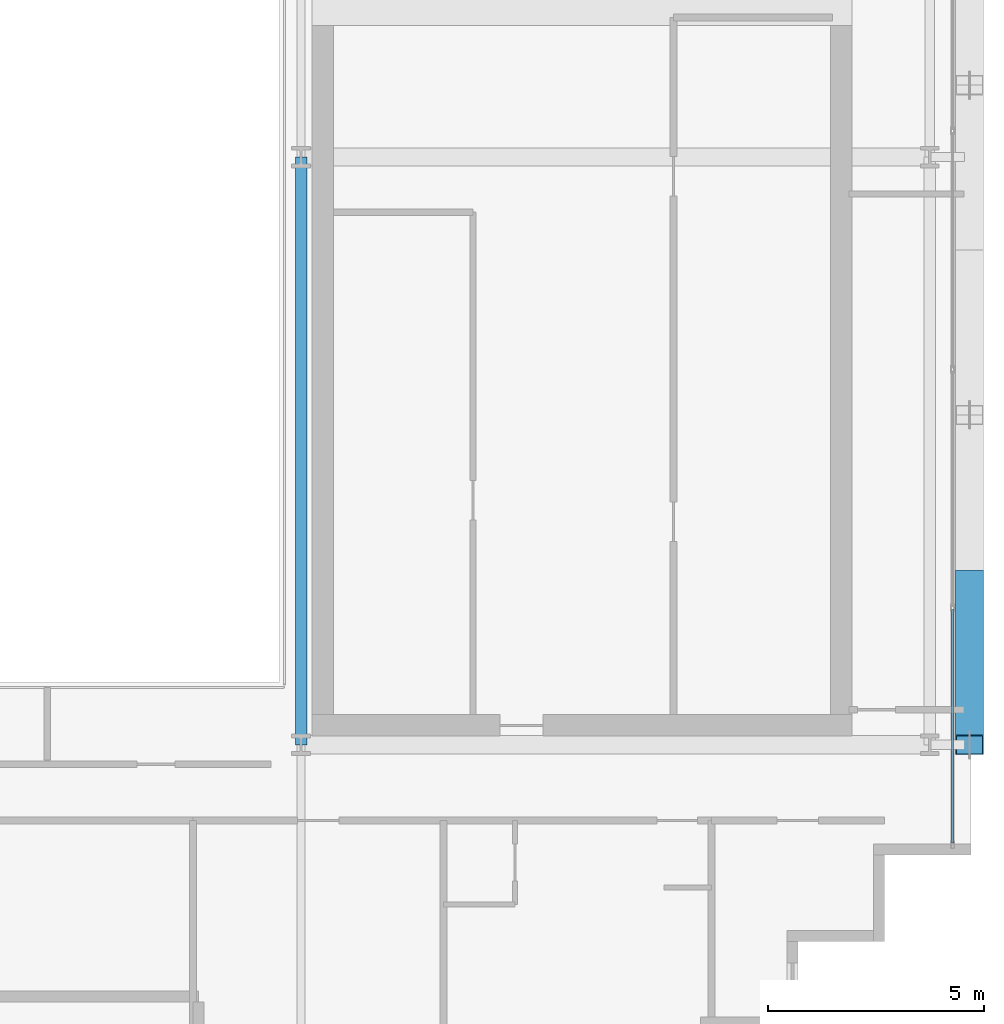
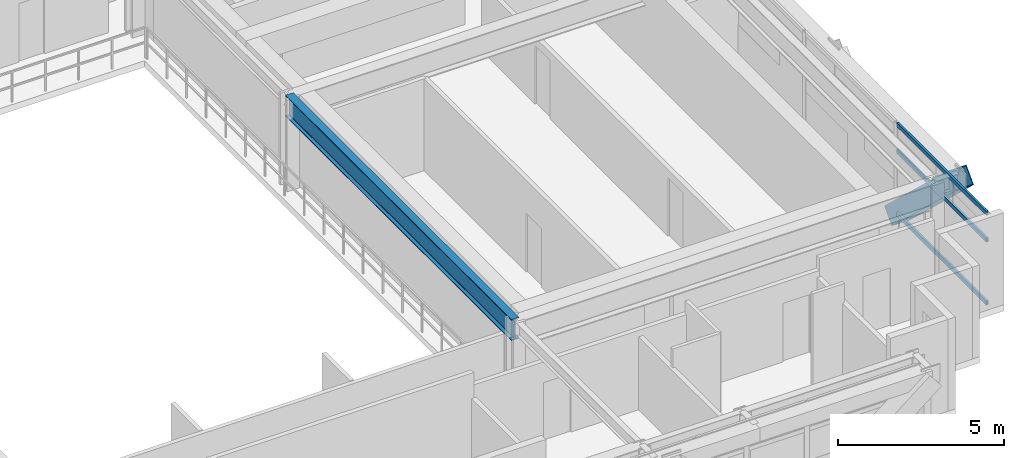
# One storey, part 11 of 32: 4 members, 1 beam, 1 element without a shape of its own.
"""IFC4 building model written with IfcOpenShell, lengths in metres."""

import ifcopenshell
import ifcopenshell.guid

model = None  # the IFC model being written
_history = None  # IfcOwnerHistory: only IFC2X3 demands one
_inside = {}  # id of a spatial element -> (the spatial element, [elements in it])
_under = {}  # id of a project, library or spatial element -> (it, [spatial elements below it])
_declared = {}  # id of a project -> (the project, [libraries it declares])
_typed = {}  # id of a type object -> (the type object, [elements of that type])
_made_of = {}  # id of a material, layer set ... -> (it, [elements and type objects made of it])


def new_model(schema):
    """Start an empty IFC model of exactly this schema.

    Asked for "IFC4X3", IfcOpenShell would pick the latest addendum, in which some entities
    have other attributes; the version numbers below select the first issue.
    IFC2X3 requires an IfcOwnerHistory on every rooted entity: one is made here for all.
    """
    global model, _history
    if schema == "IFC4X3":
        model = ifcopenshell.file(schema_version=(4, 3, 0, 0))
    else:
        model = ifcopenshell.file(schema=schema)
    _inside.clear()
    _under.clear()
    _declared.clear()
    _typed.clear()
    _made_of.clear()
    _history = None
    if model.schema == "IFC2X3":
        org = make("IfcOrganization", Name="unknown")
        user = make(
            "IfcPersonAndOrganization",
            ThePerson=make("IfcPerson", FamilyName="unknown"),
            TheOrganization=org,
        )
        app = make(
            "IfcApplication",
            ApplicationDeveloper=org,
            Version="unknown",
            ApplicationFullName="unknown",
            ApplicationIdentifier="unknown",
        )
        _history = make(
            "IfcOwnerHistory",
            OwningUser=user,
            OwningApplication=app,
            ChangeAction="ADDED",
            CreationDate=0,
        )
    return model


def make(cls, **values):
    """One entity of the class cls with the attributes given. An attribute that is None is left unset."""
    return model.create_entity(
        cls, **{name: value for name, value in values.items() if value is not None}
    )


def rooted(cls, **values):
    """An entity with a GlobalId (a new one), such as an element, a storey or a relation."""
    return make(cls, GlobalId=ifcopenshell.guid.new(), OwnerHistory=_history, **values)


def si_unit(unit_type, name, prefix=None):
    """IfcSIUnit, for example si_unit("LENGTHUNIT", "METRE", prefix="MILLI")."""
    return make("IfcSIUnit", UnitType=unit_type, Prefix=prefix, Name=name)


def assignment(units):
    """IfcUnitAssignment: the units of a project."""
    return None if units is None else make("IfcUnitAssignment", Units=units)


def point(xyz):
    """IfcCartesianPoint."""
    return None if xyz is None else make("IfcCartesianPoint", Coordinates=xyz)


def direction(xyz):
    """IfcDirection."""
    return None if xyz is None else make("IfcDirection", DirectionRatios=xyz)


def frame(location, z_axis=None, x_axis=None):
    """IfcAxis2Placement3D, a coordinate frame: its origin and axes. An axis left out is left unset."""
    return make(
        "IfcAxis2Placement3D",
        Location=point(location),
        Axis=direction(z_axis),
        RefDirection=direction(x_axis),
    )


def frame_2d(location, x_axis=None):
    """IfcAxis2Placement2D, a coordinate frame in the plane: its origin and x axis."""
    return make(
        "IfcAxis2Placement2D", Location=point(location), RefDirection=direction(x_axis)
    )


def origin():
    """The frame at (0, 0, 0) with its axes left unset."""
    return frame((0.0, 0.0, 0.0))


def origin_2d():
    """The frame at (0, 0) in the plane with its x axis left unset."""
    return frame_2d((0.0, 0.0))


def place(relative_to, where):
    """IfcLocalPlacement: puts the frame where relative to a parent placement (None: the world)."""
    return make(
        "IfcLocalPlacement", PlacementRelTo=relative_to, RelativePlacement=where
    )


def context(
    kind, dimensions, precision=None, world=None, true_north=None, identifier=None
):
    """IfcGeometricRepresentationContext, for example the 3D "Model" context."""
    return make(
        "IfcGeometricRepresentationContext",
        ContextIdentifier=identifier,
        ContextType=kind,
        CoordinateSpaceDimension=dimensions,
        Precision=precision,
        WorldCoordinateSystem=world,
        TrueNorth=true_north,
    )


def subcontext(parent, identifier, kind, view, scale=None):
    """IfcGeometricRepresentationSubContext, for example "Body" below "Model"."""
    return make(
        "IfcGeometricRepresentationSubContext",
        ContextIdentifier=identifier,
        ContextType=kind,
        ParentContext=parent,
        TargetScale=scale,
        TargetView=view,
    )


def project(units=None, contexts=None):
    """IfcProject with its units and contexts."""
    return rooted(
        "IfcProject",
        Name="project",
        RepresentationContexts=contexts,
        UnitsInContext=assignment(units),
    )


def spatial(cls, under=None, at=None, **own):
    """A site, building, storey or space (cls), placed at a placement, below another one or the project."""
    s = rooted(cls, ObjectPlacement=at, **own)
    if under is not None:
        _under.setdefault(under.id(), (under, []))[1].append(s)
    return s


def profile(cls, at=None, kind="AREA", **sizes):
    """A parametric profile (cls). Its sizes go by their IFC names, for example OverallWidth=200.0."""
    return make(cls, ProfileType=kind, Position=at, **sizes)


def hollow_rectangle(**sizes):
    """IfcRectangleHollowProfileDef."""
    return profile("IfcRectangleHollowProfileDef", **sizes)


def i_section(**sizes):
    """IfcIShapeProfileDef."""
    return profile("IfcIShapeProfileDef", **sizes)


def extrude(swept, where, along, depth):
    """IfcExtrudedAreaSolid: the profile swept, set in the frame where, extruded along a direction by depth."""
    return make(
        "IfcExtrudedAreaSolid",
        SweptArea=swept,
        Position=where,
        ExtrudedDirection=direction(along),
        Depth=depth,
    )


def shape(context_of_items, identifier, shape_type, items):
    """IfcShapeRepresentation: the items that make up one representation, for example the "Body"."""
    return make(
        "IfcShapeRepresentation",
        ContextOfItems=context_of_items,
        RepresentationIdentifier=identifier,
        RepresentationType=shape_type,
        Items=items,
    )


def source(mapping_origin, context_of_items, identifier, shape_type, items):
    """IfcRepresentationMap: a shape defined once, which mapped items show again and again."""
    return make(
        "IfcRepresentationMap",
        MappingOrigin=mapping_origin,
        MappedRepresentation=shape(context_of_items, identifier, shape_type, items),
    )


def transform(
    local_origin,
    x_axis=None,
    y_axis=None,
    z_axis=None,
    scale=None,
    scale2=None,
    scale3=None,
    uniform=True,
):
    """IfcCartesianTransformationOperator3D, or its non-uniform kind. x_axis, y_axis, z_axis: its Axis1, 2, 3."""
    if uniform:
        return make(
            "IfcCartesianTransformationOperator3D",
            Axis1=direction(x_axis),
            Axis2=direction(y_axis),
            LocalOrigin=point(local_origin),
            Scale=scale,
            Axis3=direction(z_axis),
        )
    return make(
        "IfcCartesianTransformationOperator3DnonUniform",
        Axis1=direction(x_axis),
        Axis2=direction(y_axis),
        LocalOrigin=point(local_origin),
        Scale=scale,
        Axis3=direction(z_axis),
        Scale2=scale2,
        Scale3=scale3,
    )


def mapped(mapping_source, mapping_target):
    """IfcMappedItem: shows the shape of a source again, moved by a transform."""
    return make(
        "IfcMappedItem", MappingSource=mapping_source, MappingTarget=mapping_target
    )


def material(Name=None, Category=None):
    """IfcMaterial."""
    return make("IfcMaterial", Name=Name, Category=Category)


def layer(
    of_material, thickness, ventilated=None, Name=None, Category=None, Priority=None
):
    """IfcMaterialLayer: one layer of a wall or slab, of a material (None: an air gap)."""
    return make(
        "IfcMaterialLayer",
        Material=of_material,
        LayerThickness=thickness,
        IsVentilated=ventilated,
        Name=Name,
        Category=Category,
        Priority=Priority,
    )


def layer_set(layers, Name=None):
    """IfcMaterialLayerSet."""
    return make("IfcMaterialLayerSet", MaterialLayers=layers, LayerSetName=Name)


def material_profile(
    of_material, cross_section, Name=None, Category=None, Priority=None
):
    """IfcMaterialProfile: a cross section and its material."""
    return make(
        "IfcMaterialProfile",
        Name=Name,
        Material=of_material,
        Profile=cross_section,
        Priority=Priority,
        Category=Category,
    )


def profile_set(profiles, Name=None, composite=None):
    """IfcMaterialProfileSet."""
    return make(
        "IfcMaterialProfileSet",
        Name=Name,
        MaterialProfiles=profiles,
        CompositeProfile=composite,
    )


def made_of(thing, what):
    """Note that an element or type object is made of a material, layer set ...; save() writes the relation."""
    if what is not None:
        _made_of.setdefault(what.id(), (what, []))[1].append(thing)
    return thing


def type_object(cls, material=None, **own):
    """A type object (cls), such as IfcWallType, which elements share."""
    return made_of(rooted(cls, **own), material)


def element(
    cls,
    number,
    at=None,
    inside=None,
    cuts=None,
    type_object=None,
    material=None,
    context=None,
    identifier="Body",
    shape_type=None,
    held_by="IfcProductDefinitionShape",
    body=None,
    shapes=None,
    **own,
):
    """One element of the class cls, such as IfcWall. Its Tag is "e" and its number.

    at: its placement. inside: the storey or other place that contains it. cuts: it is an
    opening in that element (IfcRelVoidsElement). A single representation is given by context,
    identifier, shape_type and body (its items); several are given by shapes. held_by: the class
    of the entity that holds the representations. save() writes the other relations.
    """
    e = rooted(cls, Tag="e%d" % number, ObjectPlacement=at, **own)
    if body is not None:
        shapes = [shape(context, identifier, shape_type, body)]
    if shapes is not None:
        e.Representation = make(held_by, Representations=shapes)
    if inside is not None:
        _inside.setdefault(inside.id(), (inside, []))[1].append(e)
    if cuts is not None:
        rooted(
            "IfcRelVoidsElement", RelatingBuildingElement=cuts, RelatedOpeningElement=e
        )
    if type_object is not None:
        _typed.setdefault(type_object.id(), (type_object, []))[1].append(e)
    return made_of(e, material)


def aggregate(whole, parts):
    """IfcRelAggregates: a whole, such as a stair, and the parts it consists of."""
    return rooted("IfcRelAggregates", RelatingObject=whole, RelatedObjects=parts)


def save(model, path):
    """Write the relations noted so far, then the file.

    IfcRelAggregates (storeys below a building ...), IfcRelContainedInSpatialStructure (elements
    in a storey), IfcRelDefinesByType, IfcRelAssociatesMaterial and IfcRelDeclares: one each for
    every whole, place, type object, material and project.
    """
    for whole, parts in _under.values():
        aggregate(whole, parts)
    for where, things in _inside.values():
        rooted(
            "IfcRelContainedInSpatialStructure",
            RelatedElements=things,
            RelatingStructure=where,
        )
    for kind, things in _typed.values():
        rooted("IfcRelDefinesByType", RelatedObjects=things, RelatingType=kind)
    for what, things in _made_of.values():
        rooted("IfcRelAssociatesMaterial", RelatedObjects=things, RelatingMaterial=what)
    for by, libraries in _declared.values():
        rooted("IfcRelDeclares", RelatingContext=by, RelatedDefinitions=libraries)
    model.write(path)


model = new_model("IFC4")

# Units and contexts
model_context = context("Model", 3, precision=1e-05, world=origin(), true_north=direction((0.0, 1.0)))
body_context = subcontext(model_context, "Body", "Model", "MODEL_VIEW")
ifc_project = project(units=[si_unit("LENGTHUNIT", "METRE"), si_unit("AREAUNIT", "SQUARE_METRE"), si_unit("VOLUMEUNIT", "CUBIC_METRE"), si_unit("PLANEANGLEUNIT", "RADIAN"), si_unit("MASSUNIT", "GRAM", prefix="KILO")], contexts=[model_context])

# Site, building, storey
site_placement = place(None, origin())
site = spatial("IfcSite", under=ifc_project, at=site_placement, CompositionType="ELEMENT")
building_placement = place(site_placement, origin())
building = spatial("IfcBuilding", under=site, at=building_placement, Name="Ocotamira Hotel", CompositionType="ELEMENT")
storey_placement = place(building_placement, frame((0.0, 0.0, 184.800048828125)))
storey = spatial("IfcBuildingStorey", under=building, at=storey_placement, Name="L46", CompositionType="ELEMENT", Elevation=184.800048828125)

# Beam
ifc_material_1 = material(Name="Steel ASTM A992 Grade 50", Category="steel")
ifc_material_profile_1 = material_profile(ifc_material_1, i_section(OverallWidth=0.26611328125, OverallDepth=0.779052734375, WebThickness=0.0166015625, FlangeThickness=0.030029296875, FilletRadius=0.01806640625, at=origin_2d()), Name="W30X148")
ifc_profile_set_1 = profile_set([ifc_material_profile_1], Name="Steel ASTM A992 Grade 50")
beam_type = type_object("IfcBeamType", Name="BM-GIRD-W30X148", PredefinedType="BEAM", material=ifc_profile_set_1)
shared_shape_1 = source(origin(), body_context, "Body", "SweptSolid", [
    extrude(i_section(OverallWidth=0.26611328125, OverallDepth=0.779052734375, WebThickness=0.0166015625, FlangeThickness=0.030029296875, FilletRadius=0.01806640625, at=origin_2d()), origin(), (0.0, 0.0, 1.0), 13.599853515625),
])
beam_placement = place(storey_placement, frame((40.5, 14.550048828125, 2.98046875), z_axis=(0.0, 1.0, 0.0), x_axis=(-1.0, 0.0, 0.0)))
element("IfcBeam", 1, at=beam_placement, inside=storey, type_object=beam_type, Name="L46 Beam X40.5 Y14.55-28.15", PredefinedType="BEAM", context=body_context, shape_type="MappedRepresentation", body=[
    mapped(shared_shape_1, transform((0.0, 0.0, 0.0), scale=1.0)),
])

# Member
ifc_material_2 = material(Name="Pale-metal coated steel ASTM A913 Grade 65", Category="steel")
ifc_material_profile_2 = material_profile(ifc_material_2, hollow_rectangle(XDim=0.64990234375, YDim=0.64990234375, WallThickness=0.02197265625, at=origin_2d()), Name="BOX650X650X22")
ifc_profile_set_2 = profile_set([ifc_material_profile_2], Name="Pale-metal coated steel ASTM A913 Grade 65")
member_type_1 = type_object("IfcMemberType", Name="MEM-EXO-BOX650", PredefinedType="BRACE", material=ifc_profile_set_2)
shared_shape_2 = source(origin(), body_context, "Body", "SweptSolid", [
    extrude(hollow_rectangle(XDim=0.64990234375, YDim=0.64990234375, WallThickness=0.02197265625, at=origin_2d()), origin(), (0.0, 0.0, 1.0), 5.24658203125),
])
member_1_placement = place(storey_placement, frame((55.969970703125, 18.36669921875, -0.47998046875), z_axis=(0.0, -0.72746596067, 0.686143772154), x_axis=(1.0, 0.0, 0.0)))
element("IfcMember", 2, at=member_1_placement, inside=storey, type_object=member_type_1, Name="L46 Exoskeleton Diagrid E0.1", PredefinedType="BRACE", context=body_context, shape_type="MappedRepresentation", body=[
    mapped(shared_shape_2, transform((0.0, 0.0, 0.0), scale=1.0)),
])

# Curtain wall, members
ifc_material_3 = material(Name="Anodised pale-metal aluminium and solar glass", Category="aluminium")
ifc_layer = layer(ifc_material_3, 0.199951171875)
ifc_layer_set = layer_set([ifc_layer], Name="Anodised pale-metal aluminium and solar glass")
curtain_wall_type = type_object("IfcCurtainWallType", Name="CW-SYS4-Z3", PredefinedType="NOTDEFINED", material=ifc_layer_set)
curtain_wall_placement = place(storey_placement, origin())
curtain_wall = element("IfcCurtainWall", 3, at=curtain_wall_placement, inside=storey, type_object=curtain_wall_type, Name="L46 Curtain Wall CW-4 CW-L46-E", PredefinedType="NOTDEFINED")
ifc_material_4 = material(Name="Anodised pale-metal aluminium 6063-T6", Category="aluminium")
ifc_material_profile_3 = material_profile(ifc_material_4, hollow_rectangle(XDim=0.074951171875, YDim=0.14990234375, WallThickness=0.006103515625, at=origin_2d()), Name="HSS150X75X6")
ifc_profile_set_3 = profile_set([ifc_material_profile_3], Name="Anodised pale-metal aluminium 6063-T6")
member_type_2 = type_object("IfcMemberType", Name="CWT-150X75", PredefinedType="USERDEFINED", material=ifc_profile_set_3)
shared_shape_3 = source(origin(), body_context, "Body", "SweptSolid", [
    extrude(hollow_rectangle(XDim=0.074951171875, YDim=0.14990234375, WallThickness=0.006103515625, at=origin_2d()), origin(), (0.0, 0.0, 1.0), 5.39990234375),
])
member_2_placement = place(storey_placement, frame((55.580078125, 12.280029296875, 0.037353515625), z_axis=(0.0, 1.0, 0.0), x_axis=(-1.0, 0.0, 0.0)))
member_2 = element("IfcMember", 4, at=member_2_placement, type_object=member_type_2, Name="CW-4 transom 1.1", ObjectType="TRANSOM", PredefinedType="USERDEFINED", context=body_context, shape_type="MappedRepresentation", body=[
    mapped(shared_shape_3, transform((0.0, 0.0, 0.0), scale=1.0)),
])
member_3_placement = place(storey_placement, frame((55.580078125, 12.280029296875, 2.349853515625), z_axis=(0.0, 1.0, 0.0), x_axis=(-1.0, 0.0, 0.0)))
member_3 = element("IfcMember", 5, at=member_3_placement, type_object=member_type_2, Name="CW-4 transom 1.2", ObjectType="TRANSOM", PredefinedType="USERDEFINED", context=body_context, shape_type="MappedRepresentation", body=[
    mapped(shared_shape_3, transform((0.0, 0.0, 0.0), scale=1.0)),
])
member_4_placement = place(storey_placement, frame((55.580078125, 12.280029296875, 3.33251953125), z_axis=(0.0, 1.0, 0.0), x_axis=(-1.0, 0.0, 0.0)))
member_4 = element("IfcMember", 6, at=member_4_placement, type_object=member_type_2, Name="CW-4 transom 1.3", ObjectType="TRANSOM", PredefinedType="USERDEFINED", context=body_context, shape_type="MappedRepresentation", body=[
    mapped(shared_shape_3, transform((0.0, 0.0, 0.0), scale=1.0)),
])
aggregate(curtain_wall, [member_2, member_3, member_4])

save(model, "model.ifc")
